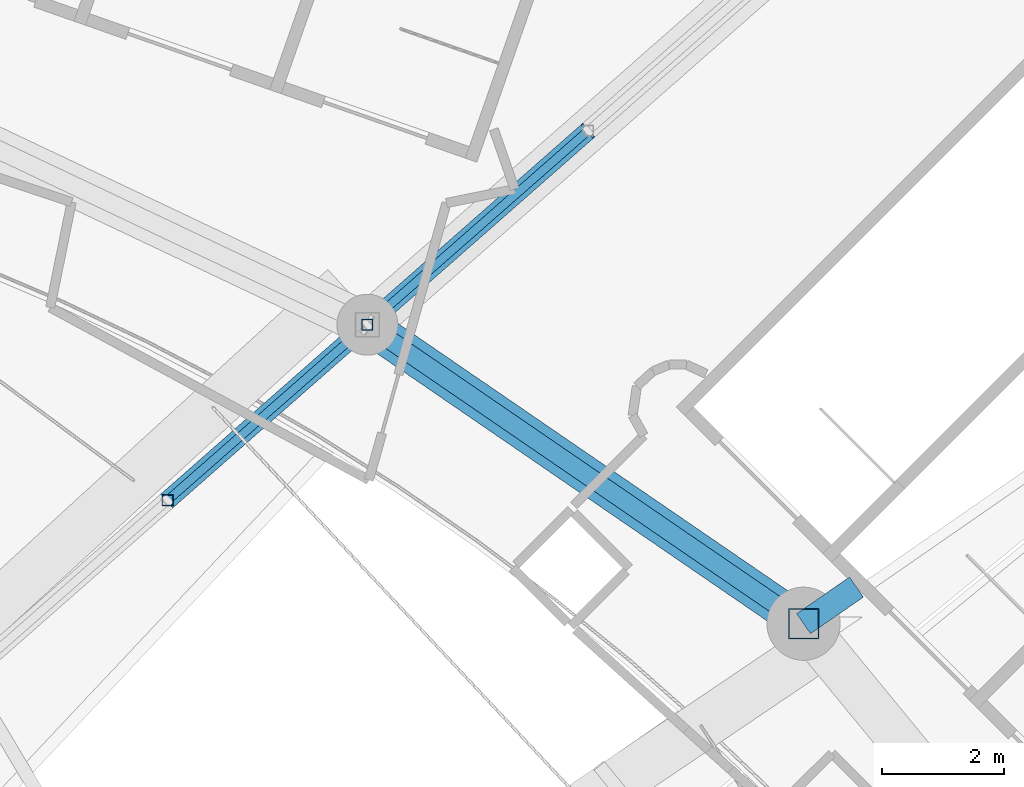
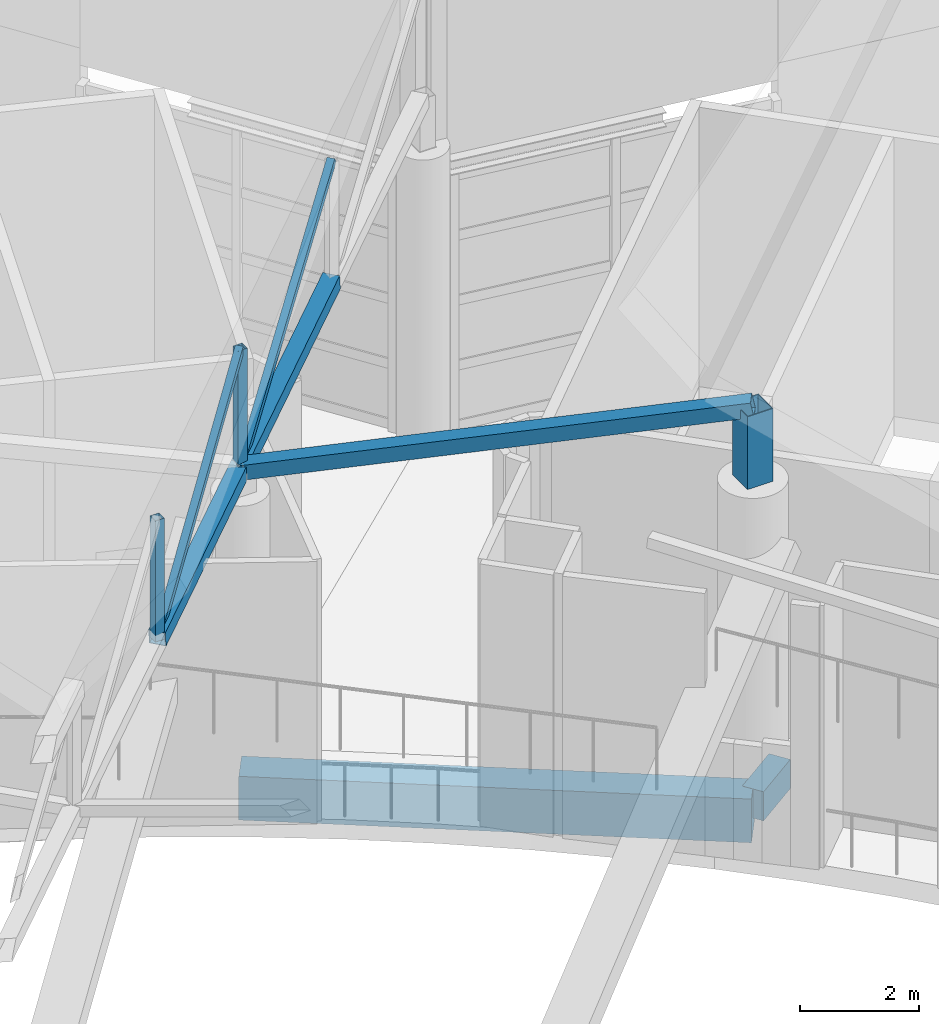
# One storey, part 196 of 344: 8 members, 2 beams.
"""IFC4 building model written with IfcOpenShell, lengths in metres."""

from ifc_helpers import new_model, si_unit, direction, frame, origin, origin_2d, place, context, subcontext, project, spatial, rectangle, hollow_rectangle, extrude, material, material_profile, profile_set, type_object, element, save


model = new_model("IFC4")

# Units and contexts
model_context = context("Model", 3, precision=1e-05, world=origin(), true_north=direction((0.0, 1.0)))
body_context = subcontext(model_context, "Body", "Model", "MODEL_VIEW")
ifc_project = project(units=[si_unit("LENGTHUNIT", "METRE"), si_unit("AREAUNIT", "SQUARE_METRE"), si_unit("VOLUMEUNIT", "CUBIC_METRE"), si_unit("PLANEANGLEUNIT", "RADIAN"), si_unit("MASSUNIT", "GRAM", prefix="KILO")], contexts=[model_context])

# Site, building, storey
site_placement = place(None, origin())
site = spatial("IfcSite", under=ifc_project, at=site_placement, CompositionType="ELEMENT")
building_placement = place(site_placement, origin())
building = spatial("IfcBuilding", under=site, at=building_placement, Name="Meseta Stadium", CompositionType="ELEMENT")
storey_placement = place(building_placement, frame((0.0, 0.0, 24.0)))
storey = spatial("IfcBuildingStorey", under=building, at=storey_placement, Name="L04", CompositionType="ELEMENT", Elevation=24.0)

# Beams
ifc_material_1 = material(Name="Concrete C40/50", Category="concrete")
ifc_material_profile_1 = material_profile(ifc_material_1, rectangle(XDim=0.39990234375, YDim=0.60009765625, at=origin_2d()), Name="RC 400x600")
ifc_profile_set_1 = profile_set([ifc_material_profile_1], Name="Concrete C40/50")
beam_type_1 = type_object("IfcBeamType", Name="RC beam 400x600", PredefinedType="BEAM", material=ifc_profile_set_1)
beam_1_placement = place(storey_placement, frame((71.775390625, 79.888916015625, -0.699951171875), z_axis=(0.821959126475, 0.569546481337, 0.0), x_axis=(-0.569546481337, 0.821959126475, 0.0)))
element("IfcBeam", 1, at=beam_1_placement, inside=storey, type_object=beam_type_1, Name="L04 radial beam frame 12 line P to R", PredefinedType="BEAM", context=body_context, shape_type="SweptSolid", body=[
    extrude(rectangle(XDim=0.39990234375, YDim=0.60009765625, at=origin_2d()), origin(), (0.0, 0.0, 1.0), 1.05615234375),
])
ifc_material_2 = material(Name="Concrete C40/50", Category="concrete")
ifc_material_profile_2 = material_profile(ifc_material_2, rectangle(XDim=0.60009765625, YDim=0.89990234375, at=origin_2d()), Name="RC 600x900")
ifc_profile_set_2 = profile_set([ifc_material_profile_2], Name="Concrete C40/50")
beam_type_2 = type_object("IfcBeamType", Name="RC beam 600x900", PredefinedType="BEAM", material=ifc_profile_set_2)
beam_2_placement = place(storey_placement, frame((71.775390625, 79.888916015625, -0.85009765625), z_axis=(-0.824813247637, 0.565405258662, 0.0), x_axis=(-0.565405258662, -0.824813247637, 0.0)))
element("IfcBeam", 2, at=beam_2_placement, inside=storey, type_object=beam_type_2, Name="L04 ring beam frame 12 line P", PredefinedType="BEAM", context=body_context, shape_type="SweptSolid", body=[
    extrude(rectangle(XDim=0.60009765625, YDim=0.89990234375, at=origin_2d()), origin(), (0.0, 0.0, 1.0), 8.672607421875),
])

# Members
ifc_material_3 = material(Name="Steel S355", Category="steel")
ifc_material_profile_3 = material_profile(ifc_material_3, hollow_rectangle(XDim=0.139892578125, YDim=0.139892578125, WallThickness=0.0048828125, at=origin_2d()), Name="SHS 140x140x5")
ifc_profile_set_3 = profile_set([ifc_material_profile_3], Name="Steel S355")
member_type_1 = type_object("IfcMemberType", Name="SHS 140x140x5 diagonal", PredefinedType="BRACE", material=ifc_profile_set_3)
member_1_placement = place(storey_placement, frame((61.34521484375, 81.91259765625, 5.130859375), z_axis=(0.612496948753, 0.538296379637, 0.578864833478), x_axis=(-0.66014331382, 0.751139670913, 0.0)))
element("IfcMember", 3, at=member_1_placement, inside=storey, type_object=member_type_1, Name="ROOF TRUSS RT-13 diagonal", PredefinedType="BRACE", context=body_context, shape_type="SweptSolid", body=[
    extrude(hollow_rectangle(XDim=0.139892578125, YDim=0.139892578125, WallThickness=0.0048828125, at=origin_2d()), origin(), (0.0, 0.0, 1.0), 5.35009765625),
])
member_2_placement = place(storey_placement, frame((64.6220703125, 84.79248046875, 5.734130859375), z_axis=(0.628035592371, 0.551952452174, 0.548561560132), x_axis=(-0.660143211531, 0.75113976081, 0.0)))
element("IfcMember", 4, at=member_2_placement, inside=storey, type_object=member_type_1, Name="ROOF TRUSS RT-13 diagonal", PredefinedType="BRACE", context=body_context, shape_type="SweptSolid", body=[
    extrude(hollow_rectangle(XDim=0.139892578125, YDim=0.139892578125, WallThickness=0.0048828125, at=origin_2d()), origin(), (0.0, 0.0, 1.0), 5.760009765625),
])
ifc_material_4 = material(Name="Steel S355", Category="steel")
ifc_material_profile_4 = material_profile(ifc_material_4, hollow_rectangle(XDim=0.179931640625, YDim=0.179931640625, WallThickness=0.00634765625, at=origin_2d()), Name="SHS 180x180x6.3")
ifc_profile_set_4 = profile_set([ifc_material_profile_4], Name="Steel S355")
member_type_2 = type_object("IfcMemberType", Name="SHS 180x180x6.3 post", PredefinedType="POST", material=ifc_profile_set_4)
for number, where, z_axis, x_axis, name in (
    (5, (61.34521484375, 81.91259765625, 5.130859375), (0.0, 0.0, 1.0), (1.0, 0.0, 0.0), "ROOF TRUSS RT-13 post"),
    (6, (64.6220703125, 84.79248046875, 5.734130859375), (0.0, 0.0, 1.0), (1.0, 0.0, 0.0), "ROOF TRUSS RT-13 post"),
):
    element("IfcMember", number, at=place(storey_placement, frame(where, z_axis=z_axis, x_axis=x_axis)), inside=storey, type_object=member_type_2, Name=name, PredefinedType="POST", context=body_context, shape_type="SweptSolid", body=[
        extrude(hollow_rectangle(XDim=0.179931640625, YDim=0.179931640625, WallThickness=0.00634765625, at=origin_2d()), origin(), (0.0, 0.0, 1.0), 2.49365234375),
    ])
ifc_material_5 = material(Name="Steel S355", Category="steel")
ifc_material_profile_5 = material_profile(ifc_material_5, hollow_rectangle(XDim=0.300048828125, YDim=0.300048828125, WallThickness=0.010009765625, at=origin_2d()), Name="SHS 300x300x10")
ifc_profile_set_5 = profile_set([ifc_material_profile_5], Name="Steel S355")
member_type_3 = type_object("IfcMemberType", Name="SHS 300x300x10 bottom chord", PredefinedType="CHORD", material=ifc_profile_set_5)
member_3_placement = place(storey_placement, frame((61.34521484375, 81.91259765625, 5.130859375), z_axis=(0.744059098746, 0.653920513247, 0.13698182335), x_axis=(-0.66014331382, 0.751139670913, 0.0)))
element("IfcMember", 7, at=member_3_placement, inside=storey, type_object=member_type_3, Name="ROOF TRUSS RT-13 bottom chord", PredefinedType="CHORD", context=body_context, shape_type="SweptSolid", body=[
    extrude(hollow_rectangle(XDim=0.300048828125, YDim=0.300048828125, WallThickness=0.010009765625, at=origin_2d()), origin(), (0.0, 0.0, 1.0), 4.404052734375),
])
member_4_placement = place(storey_placement, frame((64.6220703125, 84.79248046875, 5.734130859375), z_axis=(0.744058267473, 0.653919603093, 0.136990683247), x_axis=(-0.660143211531, 0.75113976081, 0.0)))
element("IfcMember", 8, at=member_4_placement, inside=storey, type_object=member_type_3, Name="ROOF TRUSS RT-13 bottom chord", PredefinedType="CHORD", context=body_context, shape_type="SweptSolid", body=[
    extrude(hollow_rectangle(XDim=0.300048828125, YDim=0.300048828125, WallThickness=0.010009765625, at=origin_2d()), origin(), (0.0, 0.0, 1.0), 4.86181640625),
])
ifc_material_6 = material(Name="Steel S355", Category="steel")
ifc_material_profile_6 = material_profile(ifc_material_6, hollow_rectangle(XDim=0.300048828125, YDim=0.300048828125, WallThickness=0.010009765625, at=origin_2d()), Name="SHS 300x300x10")
ifc_profile_set_6 = profile_set([ifc_material_profile_6], Name="Steel S355")
member_type_4 = type_object("IfcMemberType", Name="SHS 300x300x10 pivot strut", PredefinedType="STRUT", material=ifc_profile_set_6)
member_5_placement = place(storey_placement, frame((71.775390625, 79.888916015625, 7.498779296875), z_axis=(-0.808251656323, 0.554052372602, -0.199387132147), x_axis=(-0.565405258662, -0.824813247637, 0.0)))
element("IfcMember", 9, at=member_5_placement, inside=storey, type_object=member_type_4, Name="ROOF PIVOT STRUT RT-12/13", PredefinedType="STRUT", context=body_context, shape_type="SweptSolid", body=[
    extrude(hollow_rectangle(XDim=0.300048828125, YDim=0.300048828125, WallThickness=0.010009765625, at=origin_2d()), origin(), (0.0, 0.0, 1.0), 8.850341796875),
])
ifc_material_7 = material(Name="Steel S355", Category="steel")
ifc_material_profile_7 = material_profile(ifc_material_7, hollow_rectangle(XDim=0.5, YDim=0.5, WallThickness=0.01611328125, at=origin_2d()), Name="SHS 500x500x16")
ifc_profile_set_7 = profile_set([ifc_material_profile_7], Name="Steel S355")
member_type_5 = type_object("IfcMemberType", Name="SHS 500x500x16 pedestal", PredefinedType="POST", material=ifc_profile_set_7)
member_6_placement = place(storey_placement, frame((71.775390625, 79.888916015625, 6.0), z_axis=(0.0, 0.0, 1.0), x_axis=(1.0, 0.0, 0.0)))
element("IfcMember", 10, at=member_6_placement, inside=storey, type_object=member_type_5, Name="ROOF TRUSS RT-12 pedestal", PredefinedType="POST", context=body_context, shape_type="SweptSolid", body=[
    extrude(hollow_rectangle(XDim=0.5, YDim=0.5, WallThickness=0.01611328125, at=origin_2d()), origin(), (0.0, 0.0, 1.0), 1.498779296875),
])

save(model, "model.ifc")
